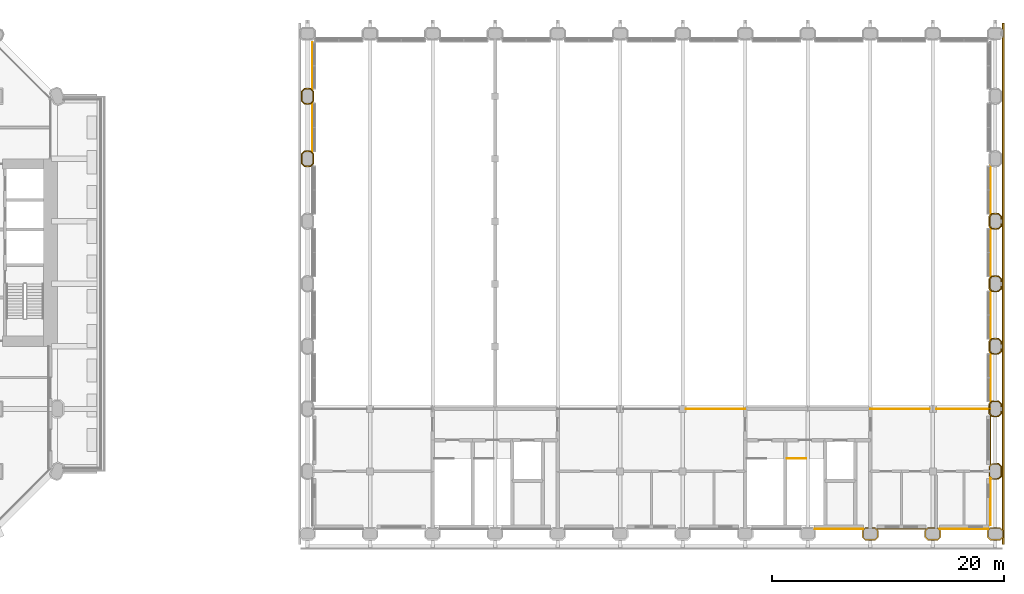
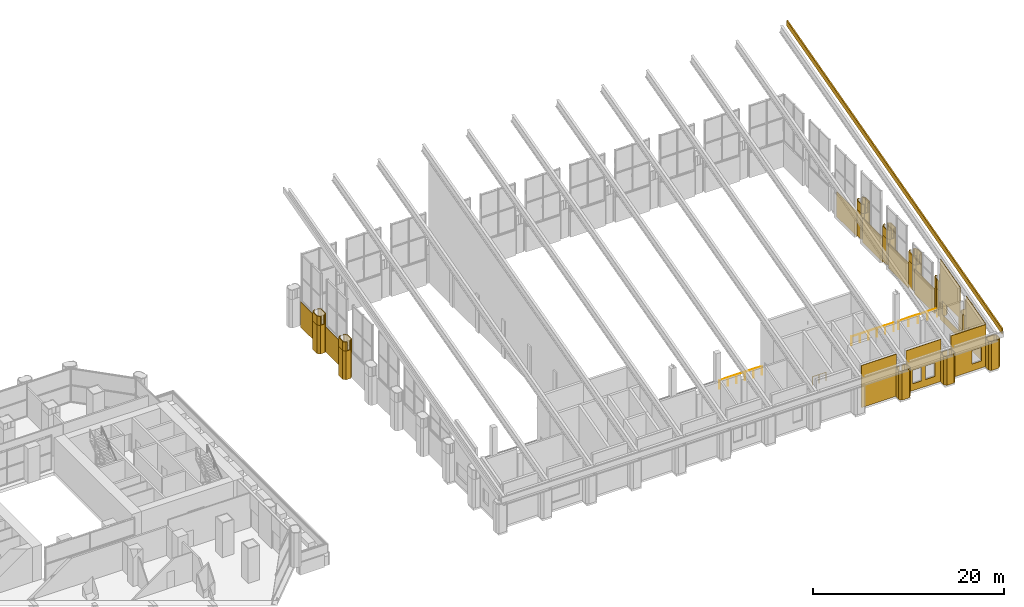
# One storey, part 40 of 42: 36 coverings, 4 railings.
"""IFC4 building model written with IfcOpenShell, lengths in metres."""

from ifc_helpers import new_model, si_unit, direction, frame, frame_2d, origin, origin_2d, place, context, subcontext, project, spatial, polyline, rectangle, circle, outline, extrude, material, layer, layer_set, type_object, element, save


model = new_model("IFC4")

# Units and contexts
model_context = context("Model", 3, precision=1e-05, world=origin(), true_north=direction((0.0, 1.0)))
body_context = subcontext(model_context, "Body", "Model", "MODEL_VIEW")
ifc_project = project(units=[si_unit("LENGTHUNIT", "METRE"), si_unit("AREAUNIT", "SQUARE_METRE"), si_unit("VOLUMEUNIT", "CUBIC_METRE"), si_unit("PLANEANGLEUNIT", "RADIAN"), si_unit("MASSUNIT", "GRAM", prefix="KILO")], contexts=[model_context])

# Site, building, storey
site_placement = place(None, origin())
site = spatial("IfcSite", under=ifc_project, at=site_placement, CompositionType="ELEMENT")
building_placement = place(site_placement, origin())
building = spatial("IfcBuilding", under=site, at=building_placement, Name="Tabaq Tower and Sports Hall", CompositionType="ELEMENT")
storey_placement = place(building_placement, frame((0.0, 0.0, 19.800048828125)))
storey = spatial("IfcBuildingStorey", under=building, at=storey_placement, Name="L03", CompositionType="ELEMENT", Elevation=19.800048828125)

# Coverings
ifc_material_1 = material(Name="Precast concrete C60/75", Category="concrete")
ifc_layer_1 = layer(ifc_material_1, 0.10009765625)
ifc_layer_set_1 = layer_set([ifc_layer_1], Name="Column cladding 100")
covering_type_1 = type_object("IfcCoveringType", Name="Column cladding 100", PredefinedType="CLADDING", material=ifc_layer_set_1)
covering_1_placement = place(storey_placement, origin())
element("IfcCovering", 1, at=covering_1_placement, inside=storey, type_object=covering_type_1, Name="Column cladding L03 HC-13G", PredefinedType="CLADDING", context=body_context, shape_type="SweptSolid", body=[
    extrude(outline(polyline([(65.09130859375, 31.7001953125), (64.5087890625, 31.7001953125), (64.250244140625, 31.958740234375), (64.250244140625, 32.84130859375), (64.5087890625, 33.099609375), (65.09130859375, 33.099609375), (65.349609375, 32.84130859375), (65.349609375, 31.958740234375), (65.09130859375, 31.7001953125)]), holes=[polyline([(65.250244140625, 32.800048828125), (65.050048828125, 33.000244140625), (64.5498046875, 33.000244140625), (64.349609375, 32.800048828125), (64.349609375, 31.999755859375), (64.5498046875, 31.7998046875), (65.050048828125, 31.7998046875), (65.250244140625, 31.999755859375), (65.250244140625, 32.800048828125)])]), origin(), (0.0, 0.0, 1.0), 3.658935546875),
])
covering_2_placement = place(storey_placement, frame((0.0, 0.0, 3.658935546875)))
element("IfcCovering", 2, at=covering_2_placement, inside=storey, type_object=covering_type_1, Name="Column cladding L03 HC-13G head", PredefinedType="CLADDING", context=body_context, shape_type="SweptSolid", body=[
    extrude(outline(polyline([(64.5087890625, 31.7001953125), (64.250244140625, 31.958740234375), (64.250244140625, 32.84130859375), (64.5087890625, 33.099609375), (64.64697265625, 33.099609375), (64.64697265625, 33.000244140625), (64.5498046875, 33.000244140625), (64.349609375, 32.800048828125), (64.349609375, 31.999755859375), (64.5498046875, 31.7998046875), (64.64697265625, 31.7998046875), (64.64697265625, 31.7001953125), (64.5087890625, 31.7001953125)])), origin(), (0.0, 0.0, 1.0), 1.14111328125),
])
covering_3_placement = place(storey_placement, frame((0.0, 0.0, 3.658935546875)))
element("IfcCovering", 3, at=covering_3_placement, inside=storey, type_object=covering_type_1, Name="Column cladding L03 HC-13G head 2", PredefinedType="CLADDING", context=body_context, shape_type="SweptSolid", body=[
    extrude(outline(polyline([(64.952880859375, 31.7001953125), (64.952880859375, 31.7998046875), (65.050048828125, 31.7998046875), (65.250244140625, 31.999755859375), (65.250244140625, 32.800048828125), (65.050048828125, 33.000244140625), (64.952880859375, 33.000244140625), (64.952880859375, 33.099609375), (65.09130859375, 33.099609375), (65.349609375, 32.84130859375), (65.349609375, 31.958740234375), (65.09130859375, 31.7001953125), (64.952880859375, 31.7001953125)])), origin(), (0.0, 0.0, 1.0), 1.14111328125),
])
covering_4_placement = place(storey_placement, origin())
element("IfcCovering", 4, at=covering_4_placement, inside=storey, type_object=covering_type_1, Name="Column cladding L03 HC-13H", PredefinedType="CLADDING", context=body_context, shape_type="SweptSolid", body=[
    extrude(outline(polyline([(65.09130859375, 37.100341796875), (64.5087890625, 37.100341796875), (64.250244140625, 37.358642578125), (64.250244140625, 38.2412109375), (64.5087890625, 38.499755859375), (65.09130859375, 38.499755859375), (65.349609375, 38.2412109375), (65.349609375, 37.358642578125), (65.09130859375, 37.100341796875)]), holes=[polyline([(65.250244140625, 38.2001953125), (65.050048828125, 38.400390625), (64.5498046875, 38.400390625), (64.349609375, 38.2001953125), (64.349609375, 37.39990234375), (64.5498046875, 37.19970703125), (65.050048828125, 37.19970703125), (65.250244140625, 37.39990234375), (65.250244140625, 38.2001953125)])]), origin(), (0.0, 0.0, 1.0), 3.658935546875),
])
covering_5_placement = place(storey_placement, frame((0.0, 0.0, 3.658935546875)))
element("IfcCovering", 5, at=covering_5_placement, inside=storey, type_object=covering_type_1, Name="Column cladding L03 HC-13H head", PredefinedType="CLADDING", context=body_context, shape_type="SweptSolid", body=[
    extrude(outline(polyline([(64.5087890625, 37.100341796875), (64.250244140625, 37.358642578125), (64.250244140625, 38.2412109375), (64.5087890625, 38.499755859375), (64.64697265625, 38.499755859375), (64.64697265625, 38.400390625), (64.5498046875, 38.400390625), (64.349609375, 38.2001953125), (64.349609375, 37.39990234375), (64.5498046875, 37.19970703125), (64.64697265625, 37.19970703125), (64.64697265625, 37.100341796875), (64.5087890625, 37.100341796875)])), origin(), (0.0, 0.0, 1.0), 1.14111328125),
])
covering_6_placement = place(storey_placement, frame((0.0, 0.0, 3.658935546875)))
element("IfcCovering", 6, at=covering_6_placement, inside=storey, type_object=covering_type_1, Name="Column cladding L03 HC-13H head 2", PredefinedType="CLADDING", context=body_context, shape_type="SweptSolid", body=[
    extrude(outline(polyline([(64.952880859375, 37.100341796875), (64.952880859375, 37.19970703125), (65.050048828125, 37.19970703125), (65.250244140625, 37.39990234375), (65.250244140625, 38.2001953125), (65.050048828125, 38.400390625), (64.952880859375, 38.400390625), (64.952880859375, 38.499755859375), (65.09130859375, 38.499755859375), (65.349609375, 38.2412109375), (65.349609375, 37.358642578125), (65.09130859375, 37.100341796875), (64.952880859375, 37.100341796875)])), origin(), (0.0, 0.0, 1.0), 1.14111328125),
])
covering_7_placement = place(storey_placement, origin())
element("IfcCovering", 7, at=covering_7_placement, inside=storey, type_object=covering_type_1, Name="Column cladding L03 HC-22A", PredefinedType="CLADDING", context=body_context, shape_type="SweptSolid", body=[
    extrude(outline(polyline([(112.7001953125, 0.291259765625), (112.958740234375, 0.5498046875), (113.249755859375, 0.5498046875), (113.249755859375, 0.4501953125), (112.999755859375, 0.4501953125), (112.7998046875, 0.250244140625), (112.7998046875, -0.250244140625), (112.999755859375, -0.4501953125), (113.800048828125, -0.4501953125), (114.000244140625, -0.250244140625), (114.000244140625, 0.250244140625), (113.800048828125, 0.4501953125), (113.55029296875, 0.4501953125), (113.55029296875, 0.5498046875), (113.84130859375, 0.5498046875), (114.099609375, 0.291259765625), (114.099609375, -0.291259765625), (113.84130859375, -0.5498046875), (112.958740234375, -0.5498046875), (112.7001953125, -0.291259765625), (112.7001953125, 0.291259765625)])), origin(), (0.0, 0.0, 1.0), 3.658935546875),
])
covering_8_placement = place(storey_placement, origin())
element("IfcCovering", 8, at=covering_8_placement, inside=storey, type_object=covering_type_1, Name="Column cladding L03 HC-23A", PredefinedType="CLADDING", context=body_context, shape_type="SweptSolid", body=[
    extrude(outline(polyline([(118.100341796875, 0.291259765625), (118.358642578125, 0.5498046875), (118.999755859375, 0.5498046875), (118.999755859375, 0.4501953125), (118.39990234375, 0.4501953125), (118.19970703125, 0.250244140625), (118.19970703125, -0.250244140625), (118.39990234375, -0.4501953125), (119.2001953125, -0.4501953125), (119.400390625, -0.250244140625), (119.400390625, 0.250244140625), (119.2001953125, 0.4501953125), (119.211181640625, 0.5498046875), (119.2412109375, 0.5498046875), (119.499755859375, 0.291259765625), (119.499755859375, -0.291259765625), (119.2412109375, -0.5498046875), (118.358642578125, -0.5498046875), (118.100341796875, -0.291259765625), (118.100341796875, 0.291259765625)])), origin(), (0.0, 0.0, 1.0), 3.658935546875),
])
covering_9_placement = place(storey_placement, origin())
element("IfcCovering", 9, at=covering_9_placement, inside=storey, type_object=covering_type_1, Name="Column cladding L03 HC-24A", PredefinedType="CLADDING", context=body_context, shape_type="SweptSolid", body=[
    extrude(outline(polyline([(123.500244140625, -0.291259765625), (123.500244140625, 0.291259765625), (123.7587890625, 0.5498046875), (124.641357421875, 0.5498046875), (124.899658203125, 0.291259765625), (124.899658203125, -0.291259765625), (124.641357421875, -0.5498046875), (123.7587890625, -0.5498046875), (123.500244140625, -0.291259765625)]), holes=[polyline([(124.60009765625, -0.4501953125), (124.80029296875, -0.250244140625), (124.80029296875, 0.250244140625), (124.60009765625, 0.4501953125), (123.7998046875, 0.4501953125), (123.599609375, 0.250244140625), (123.599609375, -0.250244140625), (123.7998046875, -0.4501953125), (124.60009765625, -0.4501953125)])]), origin(), (0.0, 0.0, 1.0), 3.658935546875),
])
covering_10_placement = place(storey_placement, origin())
element("IfcCovering", 10, at=covering_10_placement, inside=storey, type_object=covering_type_1, Name="Column cladding L03 HC-24B", PredefinedType="CLADDING", context=body_context, shape_type="SweptSolid", body=[
    extrude(outline(polyline([(123.90869140625, 4.7001953125), (123.650390625, 4.958740234375), (123.650390625, 5.2998046875), (123.749755859375, 5.2998046875), (123.749755859375, 4.999755859375), (123.949951171875, 4.7998046875), (124.4501953125, 4.7998046875), (124.650390625, 4.999755859375), (124.650390625, 5.800048828125), (124.4501953125, 6.000244140625), (123.949951171875, 6.000244140625), (123.749755859375, 5.800048828125), (123.749755859375, 5.500244140625), (123.650390625, 5.500244140625), (123.650390625, 5.84130859375), (123.90869140625, 6.099609375), (124.4912109375, 6.099609375), (124.749755859375, 5.84130859375), (124.749755859375, 4.958740234375), (124.4912109375, 4.7001953125), (123.90869140625, 4.7001953125)])), origin(), (0.0, 0.0, 1.0), 3.658935546875),
])
covering_11_placement = place(storey_placement, frame((0.0, 0.0, 3.658935546875)))
element("IfcCovering", 11, at=covering_11_placement, inside=storey, type_object=covering_type_1, Name="Column cladding L03 HC-24B head", PredefinedType="CLADDING", context=body_context, shape_type="SweptSolid", body=[
    extrude(outline(polyline([(124.4501953125, 4.7998046875), (124.650390625, 4.999755859375), (124.650390625, 5.800048828125), (124.4501953125, 6.000244140625), (124.35302734375, 6.000244140625), (124.35302734375, 6.099609375), (124.4912109375, 6.099609375), (124.749755859375, 5.84130859375), (124.749755859375, 4.958740234375), (124.4912109375, 4.7001953125), (124.35302734375, 4.7001953125), (124.35302734375, 4.7998046875), (124.4501953125, 4.7998046875)])), origin(), (0.0, 0.0, 1.0), 1.14111328125),
])
covering_12_placement = place(storey_placement, frame((0.0, 0.0, 0.349853515625)))
element("IfcCovering", 12, at=covering_12_placement, inside=storey, type_object=covering_type_1, Name="Column cladding L03 HC-24C", PredefinedType="CLADDING", context=body_context, shape_type="SweptSolid", body=[
    extrude(outline(polyline([(123.90869140625, 10.100341796875), (123.650390625, 10.358642578125), (123.650390625, 10.759765625), (123.749755859375, 10.759765625), (123.749755859375, 10.39990234375), (123.949951171875, 10.19970703125), (124.4501953125, 10.19970703125), (124.650390625, 10.39990234375), (124.650390625, 11.2001953125), (124.4501953125, 11.400390625), (123.949951171875, 11.400390625), (123.749755859375, 11.2001953125), (123.749755859375, 10.84033203125), (123.650390625, 10.84033203125), (123.650390625, 11.2412109375), (123.90869140625, 11.499755859375), (124.4912109375, 11.499755859375), (124.73974609375, 11.251220703125), (124.73974609375, 10.819580078125), (124.749755859375, 10.819580078125), (124.749755859375, 10.358642578125), (124.4912109375, 10.100341796875), (123.90869140625, 10.100341796875)])), origin(), (0.0, 0.0, 1.0), 3.30908203125),
])
covering_13_placement = place(storey_placement, frame((0.0, 0.0, 3.658935546875)))
element("IfcCovering", 13, at=covering_13_placement, inside=storey, type_object=covering_type_1, Name="Column cladding L03 HC-24C head", PredefinedType="CLADDING", context=body_context, shape_type="SweptSolid", body=[
    extrude(outline(polyline([(124.4501953125, 10.19970703125), (124.650390625, 10.39990234375), (124.650390625, 11.2001953125), (124.4501953125, 11.400390625), (124.35302734375, 11.400390625), (124.35302734375, 11.499755859375), (124.4912109375, 11.499755859375), (124.73974609375, 11.251220703125), (124.73974609375, 10.819580078125), (124.749755859375, 10.819580078125), (124.749755859375, 10.358642578125), (124.4912109375, 10.100341796875), (124.35302734375, 10.100341796875), (124.35302734375, 10.19970703125), (124.4501953125, 10.19970703125)])), origin(), (0.0, 0.0, 1.0), 1.14111328125),
])
covering_14_placement = place(storey_placement, frame((0.0, 0.0, 3.658935546875)))
element("IfcCovering", 14, at=covering_14_placement, inside=storey, type_object=covering_type_1, Name="Column cladding L03 HC-24C head 2", PredefinedType="CLADDING", context=body_context, shape_type="SweptSolid", body=[
    extrude(outline(polyline([(123.949951171875, 11.400390625), (123.749755859375, 11.2001953125), (123.749755859375, 10.84033203125), (123.650390625, 10.84033203125), (123.650390625, 11.2412109375), (123.90869140625, 11.499755859375), (124.047119140625, 11.499755859375), (124.047119140625, 11.400390625), (123.949951171875, 11.400390625)])), origin(), (0.0, 0.0, 1.0), 1.14111328125),
])
covering_15_placement = place(storey_placement, frame((0.0, 0.0, 3.658935546875)))
element("IfcCovering", 15, at=covering_15_placement, inside=storey, type_object=covering_type_1, Name="Column cladding L03 HC-24C head 3", PredefinedType="CLADDING", context=body_context, shape_type="SweptSolid", body=[
    extrude(outline(polyline([(123.650390625, 10.358642578125), (123.650390625, 10.759765625), (123.749755859375, 10.759765625), (123.749755859375, 10.39990234375), (123.949951171875, 10.19970703125), (124.047119140625, 10.19970703125), (124.047119140625, 10.100341796875), (123.90869140625, 10.100341796875), (123.650390625, 10.358642578125)])), origin(), (0.0, 0.0, 1.0), 1.14111328125),
])
covering_16_placement = place(storey_placement, frame((0.0, 0.0, 0.349853515625)))
element("IfcCovering", 16, at=covering_16_placement, inside=storey, type_object=covering_type_1, Name="Column cladding L03 HC-24D", PredefinedType="CLADDING", context=body_context, shape_type="SweptSolid", body=[
    extrude(outline(polyline([(123.90869140625, 15.500244140625), (123.650390625, 15.7587890625), (123.650390625, 16.641357421875), (123.90869140625, 16.899658203125), (124.4912109375, 16.899658203125), (124.73974609375, 16.6513671875), (124.73974609375, 15.748779296875), (124.4912109375, 15.500244140625), (123.90869140625, 15.500244140625)]), holes=[polyline([(124.4501953125, 16.80029296875), (123.949951171875, 16.80029296875), (123.749755859375, 16.60009765625), (123.749755859375, 15.7998046875), (123.949951171875, 15.599609375), (124.4501953125, 15.599609375), (124.650390625, 15.7998046875), (124.650390625, 16.60009765625), (124.4501953125, 16.80029296875)])]), origin(), (0.0, 0.0, 1.0), 3.30908203125),
])
covering_17_placement = place(storey_placement, frame((0.0, 0.0, 3.658935546875)))
element("IfcCovering", 17, at=covering_17_placement, inside=storey, type_object=covering_type_1, Name="Column cladding L03 HC-24D head", PredefinedType="CLADDING", context=body_context, shape_type="SweptSolid", body=[
    extrude(outline(polyline([(123.650390625, 15.7587890625), (123.650390625, 16.641357421875), (123.90869140625, 16.899658203125), (124.047119140625, 16.899658203125), (124.047119140625, 16.80029296875), (123.949951171875, 16.80029296875), (123.749755859375, 16.60009765625), (123.749755859375, 15.7998046875), (123.949951171875, 15.599609375), (124.047119140625, 15.599609375), (124.047119140625, 15.500244140625), (123.90869140625, 15.500244140625), (123.650390625, 15.7587890625)])), origin(), (0.0, 0.0, 1.0), 1.14111328125),
])
covering_18_placement = place(storey_placement, frame((0.0, 0.0, 3.658935546875)))
element("IfcCovering", 18, at=covering_18_placement, inside=storey, type_object=covering_type_1, Name="Column cladding L03 HC-24D head 2", PredefinedType="CLADDING", context=body_context, shape_type="SweptSolid", body=[
    extrude(outline(polyline([(124.4912109375, 16.899658203125), (124.73974609375, 16.6513671875), (124.73974609375, 15.748779296875), (124.4912109375, 15.500244140625), (124.35302734375, 15.500244140625), (124.35302734375, 15.599609375), (124.4501953125, 15.599609375), (124.650390625, 15.7998046875), (124.650390625, 16.60009765625), (124.4501953125, 16.80029296875), (124.35302734375, 16.80029296875), (124.35302734375, 16.899658203125), (124.4912109375, 16.899658203125)])), origin(), (0.0, 0.0, 1.0), 1.14111328125),
])
covering_19_placement = place(storey_placement, frame((0.0, 0.0, 0.349853515625)))
element("IfcCovering", 19, at=covering_19_placement, inside=storey, type_object=covering_type_1, Name="Column cladding L03 HC-24E", PredefinedType="CLADDING", context=body_context, shape_type="SweptSolid", body=[
    extrude(outline(polyline([(123.90869140625, 20.900390625), (123.650390625, 21.15869140625), (123.650390625, 22.041259765625), (123.90869140625, 22.2998046875), (124.4912109375, 22.2998046875), (124.73974609375, 22.05126953125), (124.73974609375, 21.61962890625), (124.749755859375, 21.61962890625), (124.749755859375, 21.580322265625), (124.73974609375, 21.580322265625), (124.73974609375, 21.148681640625), (124.4912109375, 20.900390625), (123.90869140625, 20.900390625)]), holes=[polyline([(124.4501953125, 22.2001953125), (123.949951171875, 22.2001953125), (123.749755859375, 22.000244140625), (123.749755859375, 21.199951171875), (123.949951171875, 20.999755859375), (124.4501953125, 20.999755859375), (124.650390625, 21.199951171875), (124.650390625, 22.000244140625), (124.4501953125, 22.2001953125)])]), origin(), (0.0, 0.0, 1.0), 3.30908203125),
])
covering_20_placement = place(storey_placement, frame((0.0, 0.0, 3.658935546875)))
element("IfcCovering", 20, at=covering_20_placement, inside=storey, type_object=covering_type_1, Name="Column cladding L03 HC-24E head", PredefinedType="CLADDING", context=body_context, shape_type="SweptSolid", body=[
    extrude(outline(polyline([(123.650390625, 21.15869140625), (123.650390625, 22.041259765625), (123.90869140625, 22.2998046875), (124.047119140625, 22.2998046875), (124.047119140625, 22.2001953125), (123.949951171875, 22.2001953125), (123.749755859375, 22.000244140625), (123.749755859375, 21.199951171875), (123.949951171875, 20.999755859375), (124.047119140625, 20.999755859375), (124.047119140625, 20.900390625), (123.90869140625, 20.900390625), (123.650390625, 21.15869140625)])), origin(), (0.0, 0.0, 1.0), 1.14111328125),
])
covering_21_placement = place(storey_placement, frame((0.0, 0.0, 3.658935546875)))
element("IfcCovering", 21, at=covering_21_placement, inside=storey, type_object=covering_type_1, Name="Column cladding L03 HC-24E head 2", PredefinedType="CLADDING", context=body_context, shape_type="SweptSolid", body=[
    extrude(outline(polyline([(124.4912109375, 22.2998046875), (124.73974609375, 22.05126953125), (124.73974609375, 21.61962890625), (124.749755859375, 21.61962890625), (124.749755859375, 21.580322265625), (124.73974609375, 21.580322265625), (124.73974609375, 21.148681640625), (124.4912109375, 20.900390625), (124.35302734375, 20.900390625), (124.35302734375, 20.999755859375), (124.4501953125, 20.999755859375), (124.650390625, 21.199951171875), (124.650390625, 22.000244140625), (124.4501953125, 22.2001953125), (124.35302734375, 22.2001953125), (124.35302734375, 22.2998046875), (124.4912109375, 22.2998046875)])), origin(), (0.0, 0.0, 1.0), 1.14111328125),
])
covering_22_placement = place(storey_placement, frame((0.0, 0.0, 0.349853515625)))
element("IfcCovering", 22, at=covering_22_placement, inside=storey, type_object=covering_type_1, Name="Column cladding L03 HC-24F", PredefinedType="CLADDING", context=body_context, shape_type="SweptSolid", body=[
    extrude(outline(polyline([(123.90869140625, 26.30029296875), (123.650390625, 26.55859375), (123.650390625, 27.44140625), (123.90869140625, 27.69970703125), (124.4912109375, 27.69970703125), (124.73974609375, 27.451416015625), (124.73974609375, 26.548583984375), (124.4912109375, 26.30029296875), (123.90869140625, 26.30029296875)]), holes=[polyline([(124.4501953125, 27.600341796875), (123.949951171875, 27.600341796875), (123.749755859375, 27.400146484375), (123.749755859375, 26.599853515625), (123.949951171875, 26.399658203125), (124.4501953125, 26.399658203125), (124.650390625, 26.599853515625), (124.650390625, 27.400146484375), (124.4501953125, 27.600341796875)])]), origin(), (0.0, 0.0, 1.0), 3.30908203125),
])
covering_23_placement = place(storey_placement, frame((0.0, 0.0, 3.658935546875)))
element("IfcCovering", 23, at=covering_23_placement, inside=storey, type_object=covering_type_1, Name="Column cladding L03 HC-24F head", PredefinedType="CLADDING", context=body_context, shape_type="SweptSolid", body=[
    extrude(outline(polyline([(123.650390625, 26.55859375), (123.650390625, 27.44140625), (123.90869140625, 27.69970703125), (124.047119140625, 27.69970703125), (124.047119140625, 27.600341796875), (123.949951171875, 27.600341796875), (123.749755859375, 27.400146484375), (123.749755859375, 26.599853515625), (123.949951171875, 26.399658203125), (124.047119140625, 26.399658203125), (124.047119140625, 26.30029296875), (123.90869140625, 26.30029296875), (123.650390625, 26.55859375)])), origin(), (0.0, 0.0, 1.0), 1.14111328125),
])
covering_24_placement = place(storey_placement, frame((0.0, 0.0, 3.658935546875)))
element("IfcCovering", 24, at=covering_24_placement, inside=storey, type_object=covering_type_1, Name="Column cladding L03 HC-24F head 2", PredefinedType="CLADDING", context=body_context, shape_type="SweptSolid", body=[
    extrude(outline(polyline([(124.4912109375, 27.69970703125), (124.73974609375, 27.451416015625), (124.73974609375, 26.548583984375), (124.4912109375, 26.30029296875), (124.35302734375, 26.30029296875), (124.35302734375, 26.399658203125), (124.4501953125, 26.399658203125), (124.650390625, 26.599853515625), (124.650390625, 27.400146484375), (124.4501953125, 27.600341796875), (124.35302734375, 27.600341796875), (124.35302734375, 27.69970703125), (124.4912109375, 27.69970703125)])), origin(), (0.0, 0.0, 1.0), 1.14111328125),
])

# Railings
ifc_material_2 = material(Name="Stainless steel and glass balustrade", Category="steel")
railing_type = type_object("IfcRailingType", Name="HALL GUARD 1100", PredefinedType="GUARDRAIL", material=ifc_material_2)
railing_1_placement = place(storey_placement, frame((106.199951171875, 6.5, 0.0)))
element("IfcRailing", 25, at=railing_1_placement, inside=storey, type_object=railing_type, Name="L03 ST-H4 top well guard 1", PredefinedType="GUARDRAIL", context=body_context, shape_type="SweptSolid", body=[
    extrude(circle(Radius=0.02392578125, at=origin_2d()), frame((0.0, 0.0, 1.076171875), z_axis=(1.0, 0.0, 0.0), x_axis=(0.0, 1.0, 0.0)), (0.0, 0.0, 1.0), 1.650146484375),
    extrude(circle(Radius=0.02099609375, at=origin_2d()), origin(), (0.0, 0.0, 1.0), 1.052001953125),
    extrude(circle(Radius=0.02099609375, at=origin_2d()), frame((0.8251953125, 0.0, 0.0)), (0.0, 0.0, 1.0), 1.052001953125),
    extrude(circle(Radius=0.02099609375, at=origin_2d()), frame((1.650146484375, 0.0, 0.0)), (0.0, 0.0, 1.0), 1.052001953125),
])
for number, where, name in (
    (26, (97.5, 10.800048828125, 0.0), "L03 gallery guard"),
    (27, (113.39990234375, 10.800048828125, 0.0), "L03 gallery guard"),
):
    element("IfcRailing", number, at=place(storey_placement, frame(where)), inside=storey, type_object=railing_type, Name=name, PredefinedType="GUARDRAIL", context=body_context, shape_type="SweptSolid", body=[
        extrude(circle(Radius=0.02392578125, at=origin_2d()), frame((0.0, 0.0, 1.076171875), z_axis=(1.0, 0.0, 0.0), x_axis=(0.0, 1.0, 0.0)), (0.0, 0.0, 1.0), 5.10009765625),
        extrude(circle(Radius=0.02099609375, at=origin_2d()), origin(), (0.0, 0.0, 1.0), 1.052001953125),
        extrude(circle(Radius=0.02099609375, at=origin_2d()), frame((1.02001953125, 0.0, 0.0)), (0.0, 0.0, 1.0), 1.052001953125),
        extrude(circle(Radius=0.02099609375, at=origin_2d()), frame((2.0400390625, 0.0, 0.0)), (0.0, 0.0, 1.0), 1.052001953125),
        extrude(circle(Radius=0.02099609375, at=origin_2d()), frame((3.06005859375, 0.0, 0.0)), (0.0, 0.0, 1.0), 1.052001953125),
        extrude(circle(Radius=0.02099609375, at=origin_2d()), frame((4.080078125, 0.0, 0.0)), (0.0, 0.0, 1.0), 1.052001953125),
        extrude(circle(Radius=0.02099609375, at=origin_2d()), frame((5.10009765625, 0.0, 0.0)), (0.0, 0.0, 1.0), 1.052001953125),
    ])
railing_2_placement = place(storey_placement, frame((119.10009765625, 10.800048828125, 0.0)))
element("IfcRailing", 28, at=railing_2_placement, inside=storey, type_object=railing_type, Name="L03 gallery guard", PredefinedType="GUARDRAIL", context=body_context, shape_type="SweptSolid", body=[
    extrude(circle(Radius=0.02392578125, at=origin_2d()), frame((0.0, 0.0, 1.076171875), z_axis=(1.0, 0.0, 0.0), x_axis=(0.0, 1.0, 0.0)), (0.0, 0.0, 1.0), 4.64990234375),
    extrude(circle(Radius=0.02099609375, at=origin_2d()), origin(), (0.0, 0.0, 1.0), 1.052001953125),
    extrude(circle(Radius=0.02099609375, at=origin_2d()), frame((1.16259765625, 0.0, 0.0)), (0.0, 0.0, 1.0), 1.052001953125),
    extrude(circle(Radius=0.02099609375, at=origin_2d()), frame((2.324951171875, 0.0, 0.0)), (0.0, 0.0, 1.0), 1.052001953125),
    extrude(circle(Radius=0.02099609375, at=origin_2d()), frame((3.4873046875, 0.0, 0.0)), (0.0, 0.0, 1.0), 1.052001953125),
    extrude(circle(Radius=0.02099609375, at=origin_2d()), frame((4.64990234375, 0.0, 0.0)), (0.0, 0.0, 1.0), 1.052001953125),
])

# Coverings
ifc_material_3 = material(Name="Precast concrete C60/75", Category="concrete")
ifc_layer_2 = layer(ifc_material_3, 0.14990234375)
ifc_layer_set_2 = layer_set([ifc_layer_2], Name="Tray fascia 1200")
covering_type_2 = type_object("IfcCoveringType", Name="Tray fascia 1200", PredefinedType="CLADDING", material=ifc_layer_set_2)
covering_25_placement = place(storey_placement, frame((124.800048828125, -0.89990234375, 5.15869140625), z_axis=(-1.0, 0.0, 0.0), x_axis=(0.0, 0.965925033857, 0.25882200248)))
element("IfcCovering", 29, at=covering_25_placement, inside=storey, type_object=covering_type_2, Name="Roof verge cladding E", PredefinedType="CLADDING", context=body_context, shape_type="SweptSolid", body=[
    extrude(outline(polyline([(0.0, 0.0), (46.58746633815036, 1.7763568394002505e-15), (46.406303574207215, 0.6761003593917625), (-0.18116276394314054, 0.6761003593917605), (0.0, 0.0)])), origin(), (0.0, 0.0, -1.0), 0.14990234375),
])
ifc_material_4 = material(Name="Precast concrete C60/75", Category="concrete")
ifc_layer_3 = layer(ifc_material_4, 0.06005859375)
ifc_layer_set_3 = layer_set([ifc_layer_3], Name="White precast cladding panel 60 C60/75")
covering_type_3 = type_object("IfcCoveringType", Name="White precast cladding panel 60 C60/75", PredefinedType="CLADDING", material=ifc_layer_set_3)
covering_26_placement = place(storey_placement, frame((123.780029296875, 0.75, 0.0), z_axis=(0.0, 0.0, 1.0), x_axis=(0.0, 1.0, 0.0)))
element("IfcCovering", 30, at=covering_26_placement, inside=storey, type_object=covering_type_3, Name="White precast cladding panel L03 L03", PredefinedType="CLADDING", context=body_context, shape_type="SweptSolid", body=[
    extrude(outline(polyline([(0.0, 0.0), (4.050048828125, 0.0), (4.050048828125, 6.2705078125), (0.0, 5.185302734375), (0.0, 0.0)]), holes=[polyline([(2.389892578125, 0.889892578125), (2.389892578125, 2.60986328125), (3.510009765625, 2.60986328125), (3.510009765625, 0.889892578125), (2.389892578125, 0.889892578125)])]), frame((0.0, 0.030029296875, 0.0), z_axis=(0.0, -1.0, 0.0), x_axis=(1.0, 0.0, 0.0)), (0.0, 0.0, 1.0), 0.06005859375),
])
covering_27_placement = place(storey_placement, frame((123.780029296875, 6.0, 0.0), z_axis=(0.0, 0.0, 1.0), x_axis=(0.0, 1.0, 0.0)))
element("IfcCovering", 31, at=covering_27_placement, inside=storey, type_object=covering_type_3, Name="White precast cladding panel L03 L03", PredefinedType="CLADDING", context=body_context, shape_type="SweptSolid", body=[
    extrude(outline(polyline([(0.0, 0.0), (4.199951171875, 0.0), (4.199951171875, 7.717529296875), (0.0, 6.592041015625), (0.0, 0.0)]), holes=[polyline([(0.389892578125, 0.889892578125), (0.389892578125, 2.60986328125), (3.81005859375, 2.60986328125), (3.81005859375, 0.889892578125), (0.389892578125, 0.889892578125)])]), frame((0.0, 0.030029296875, 0.0), z_axis=(0.0, -1.0, 0.0), x_axis=(1.0, 0.0, 0.0)), (0.0, 0.0, 1.0), 0.06005859375),
])
covering_28_placement = place(storey_placement, frame((123.780029296875, 11.39990234375, 0.0), z_axis=(0.0, 0.0, 1.0), x_axis=(0.0, 1.0, 0.0)))
element("IfcCovering", 32, at=covering_28_placement, inside=storey, type_object=covering_type_3, Name="White precast cladding panel L03 lo", PredefinedType="CLADDING", context=body_context, shape_type="SweptSolid", body=[
    extrude(rectangle(XDim=4.2001953125, YDim=0.06005859375, at=frame_2d((2.10009765625, 0.0))), origin(), (0.0, 0.0, 1.0), 3.199951171875),
])
for number, where, z_axis, x_axis, name in (
    (33, (123.780029296875, 16.800048828125, 0.0), (0.0, 0.0, 1.0), (0.0, 1.0, 0.0), "White precast cladding panel L03 lo"),
    (34, (123.780029296875, 22.199951171875, 0.0), (0.0, 0.0, 1.0), (0.0, 1.0, 0.0), "White precast cladding panel L03 lo"),
    (35, (123.780029296875, 27.60009765625, 0.0), (0.0, 0.0, 1.0), (0.0, 1.0, 0.0), "White precast cladding panel L03 lo"),
):
    element("IfcCovering", number, at=place(storey_placement, frame(where, z_axis=z_axis, x_axis=x_axis)), inside=storey, type_object=covering_type_3, Name=name, PredefinedType="CLADDING", context=body_context, shape_type="SweptSolid", body=[
        extrude(rectangle(XDim=4.199951171875, YDim=0.06005859375, at=frame_2d((2.10009765625, 0.0))), origin(), (0.0, 0.0, 1.0), 3.199951171875),
    ])
covering_29_placement = place(storey_placement, frame((108.60009765625, 0.419921875, 0.0), z_axis=(0.0, 0.0, 1.0), x_axis=(1.0, 0.0, 0.0)))
element("IfcCovering", 36, at=covering_29_placement, inside=storey, type_object=covering_type_3, Name="White precast cladding panel L03 L03", PredefinedType="CLADDING", context=body_context, shape_type="SweptSolid", body=[
    extrude(outline(polyline([(0.0, 0.0), (4.199951171875, 0.0), (4.199951171875, 5.365234375), (0.0, 5.365234375), (0.0, 0.0)])), frame((0.0, 0.030029296875, 0.0), z_axis=(0.0, -1.0, 0.0), x_axis=(1.0, 0.0, 0.0)), (0.0, 0.0, 1.0), 0.06005859375),
])
covering_30_placement = place(storey_placement, frame((114.0, 0.419921875, 0.0), z_axis=(0.0, 0.0, 1.0), x_axis=(1.0, 0.0, 0.0)))
element("IfcCovering", 37, at=covering_30_placement, inside=storey, type_object=covering_type_3, Name="White precast cladding panel L03 L03", PredefinedType="CLADDING", context=body_context, shape_type="SweptSolid", body=[
    extrude(outline(polyline([(0.0, 0.0), (4.199951171875, 0.0), (4.199951171875, 5.365234375), (0.0, 5.365234375), (0.0, 0.0)]), holes=[polyline([(0.739990234375, 2.60986328125), (1.860107421875, 2.60986328125), (1.860107421875, 0.889892578125), (0.739990234375, 0.889892578125), (0.739990234375, 2.60986328125)]), polyline([(2.340087890625, 2.60986328125), (3.4599609375, 2.60986328125), (3.4599609375, 0.889892578125), (2.340087890625, 0.889892578125), (2.340087890625, 2.60986328125)])]), frame((0.0, 0.030029296875, 0.0), z_axis=(0.0, -1.0, 0.0), x_axis=(1.0, 0.0, 0.0)), (0.0, 0.0, 1.0), 0.06005859375),
])
covering_31_placement = place(storey_placement, frame((119.39990234375, 0.419921875, 0.0), z_axis=(0.0, 0.0, 1.0), x_axis=(1.0, 0.0, 0.0)))
element("IfcCovering", 38, at=covering_31_placement, inside=storey, type_object=covering_type_3, Name="White precast cladding panel L03 L03", PredefinedType="CLADDING", context=body_context, shape_type="SweptSolid", body=[
    extrude(outline(polyline([(0.0, 0.0), (4.2001953125, 0.0), (4.199951171875, 5.365234375), (0.0, 5.365234375), (0.0, 0.0)]), holes=[polyline([(2.5400390625, 0.889892578125), (2.5400390625, 2.60986328125), (3.659912109375, 2.60986328125), (3.659912109375, 0.889892578125), (2.5400390625, 0.889892578125)])]), frame((0.0, 0.030029296875, 0.0), z_axis=(0.0, -1.0, 0.0), x_axis=(1.0, 0.0, 0.0)), (0.0, 0.0, 1.0), 0.06005859375),
])
covering_32_placement = place(storey_placement, frame((65.219970703125, 33.0, 0.0), z_axis=(0.0, 0.0, 1.0), x_axis=(0.0, 1.0, 0.0)))
element("IfcCovering", 39, at=covering_32_placement, inside=storey, type_object=covering_type_3, Name="White precast cladding panel L03 lo", PredefinedType="CLADDING", context=body_context, shape_type="SweptSolid", body=[
    extrude(rectangle(XDim=4.199951171875, YDim=0.06005859375, at=frame_2d((2.10009765625, 0.0))), origin(), (0.0, 0.0, 1.0), 3.199951171875),
])
covering_33_placement = place(storey_placement, frame((65.219970703125, 38.39990234375, 0.0), z_axis=(0.0, 0.0, 1.0), x_axis=(0.0, 1.0, 0.0)))
element("IfcCovering", 40, at=covering_33_placement, inside=storey, type_object=covering_type_3, Name="White precast cladding panel L03 lo", PredefinedType="CLADDING", context=body_context, shape_type="SweptSolid", body=[
    extrude(rectangle(XDim=4.050048828125, YDim=0.06005859375, at=frame_2d((2.02490234375, 0.0))), origin(), (0.0, 0.0, 1.0), 3.199951171875),
])

save(model, "model.ifc")
